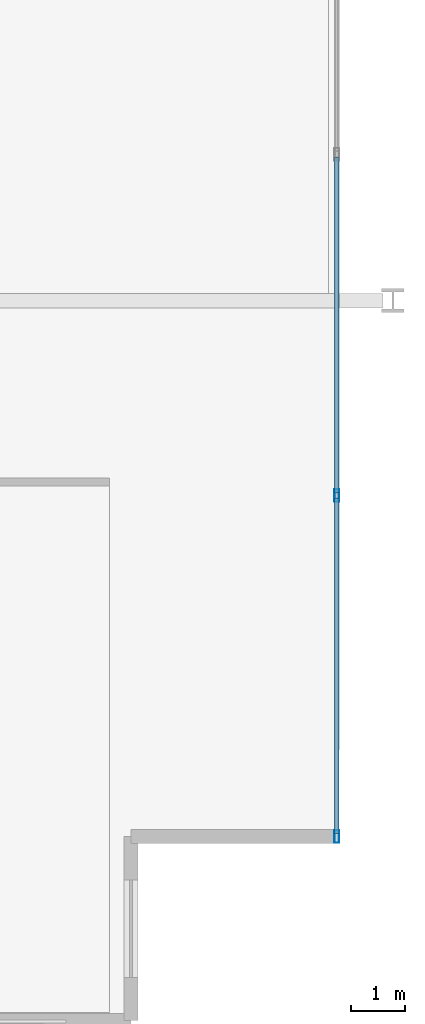
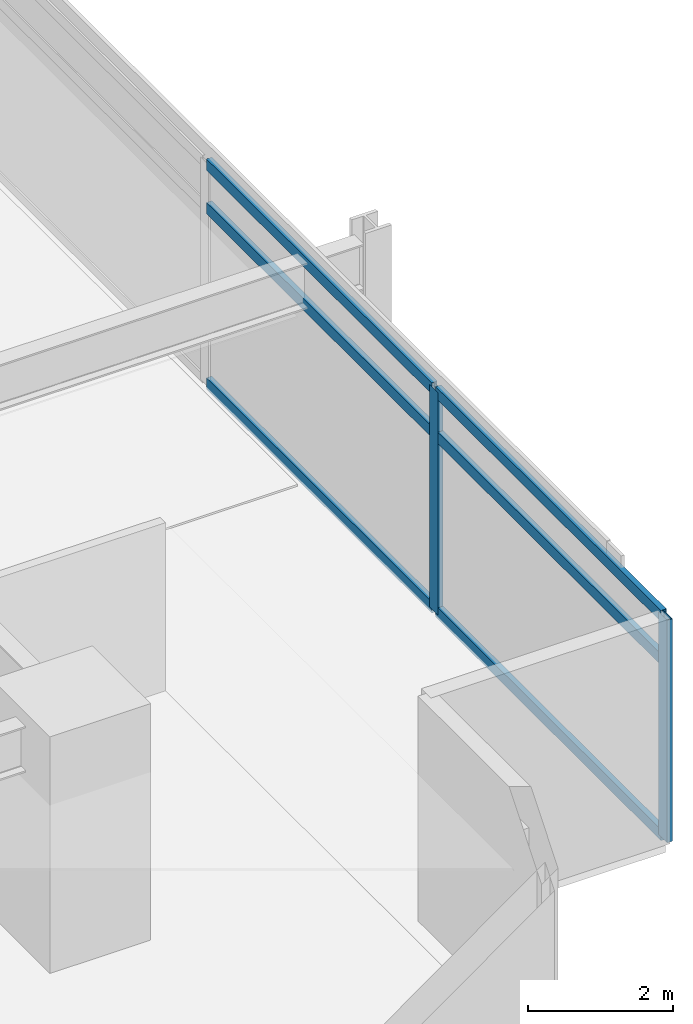
# One storey, part 8 of 23: 8 members, 1 element without a shape of its own.
"""IFC4 building model written with IfcOpenShell, lengths in metres."""

from ifc_helpers import new_model, si_unit, direction, frame, origin, origin_2d, place, context, subcontext, project, spatial, hollow_rectangle, extrude, material, material_profile, profile_set, type_object, element, aggregate, save


model = new_model("IFC4")

# Units and contexts
model_context = context("Model", 3, precision=1e-05, world=origin(), true_north=direction((0.0, 1.0)))
body_context = subcontext(model_context, "Body", "Model", "MODEL_VIEW")
ifc_project = project(units=[si_unit("LENGTHUNIT", "METRE"), si_unit("AREAUNIT", "SQUARE_METRE"), si_unit("VOLUMEUNIT", "CUBIC_METRE"), si_unit("PLANEANGLEUNIT", "RADIAN"), si_unit("MASSUNIT", "GRAM", prefix="KILO")], contexts=[model_context])

# Site, building, storey
site_placement = place(None, origin())
site = spatial("IfcSite", under=ifc_project, at=site_placement, CompositionType="ELEMENT")
building_placement = place(site_placement, origin())
building = spatial("IfcBuilding", under=site, at=building_placement, Name="Kovane Verandah Tower", CompositionType="ELEMENT")
storey_placement = place(building_placement, frame((0.0, 0.0, 148.39990234375)))
storey = spatial("IfcBuildingStorey", under=building, at=storey_placement, Name="L34", CompositionType="ELEMENT", Elevation=148.39990234375)

# Curtain wall, members
ifc_material_1 = material(Name="Champagne Anodised Aluminium Frame with Low-E Clear Laminated Glass", Category="aluminium")
curtain_wall_type = type_object("IfcCurtainWallType", Name="CW-SYS-03-MID", PredefinedType="NOTDEFINED", material=ifc_material_1)
curtain_wall_placement = place(storey_placement, origin())
curtain_wall = element("IfcCurtainWall", 1, at=curtain_wall_placement, inside=storey, type_object=curtain_wall_type, Name="L34 E Unitised Curtain Wall", PredefinedType="NOTDEFINED")
ifc_material_2 = material(Name="Champagne Anodised Aluminium 6063-T6", Category="aluminium")
ifc_material_profile_1 = material_profile(ifc_material_2, hollow_rectangle(XDim=0.0849609375, YDim=0.22998046875, WallThickness=0.00390625, at=origin_2d()), Name="AL85x230x4")
ifc_profile_set_1 = profile_set([ifc_material_profile_1], Name="Champagne Anodised Aluminium 6063-T6")
member_type_1 = type_object("IfcMemberType", Name="CW-MUL-85x230", PredefinedType="MULLION", material=ifc_profile_set_1)
member_1_placement = place(storey_placement, frame((66.5634765625, 8.596435546875, 0.02001953125), z_axis=(0.0, 0.0, 1.0), x_axis=(1.0, 0.0, 0.0)))
member_1 = element("IfcMember", 2, at=member_1_placement, type_object=member_type_1, Name="L34 E Unitised Curtain Wall Mullion 1", PredefinedType="MULLION", context=body_context, shape_type="SweptSolid", body=[
    extrude(hollow_rectangle(XDim=0.0849609375, YDim=0.22998046875, WallThickness=0.00390625, at=origin_2d()), origin(), (0.0, 0.0, 1.0), 3.735107421875),
])
member_2_placement = place(storey_placement, frame((66.5634765625, 14.897705078125, 0.02001953125), z_axis=(0.0, 0.0, 1.0), x_axis=(1.0, 0.0, 0.0)))
member_2 = element("IfcMember", 3, at=member_2_placement, type_object=member_type_1, Name="L34 E Unitised Curtain Wall Mullion 2", PredefinedType="MULLION", context=body_context, shape_type="SweptSolid", body=[
    extrude(hollow_rectangle(XDim=0.0849609375, YDim=0.22998046875, WallThickness=0.00390625, at=origin_2d()), origin(), (0.0, 0.0, 1.0), 3.735107421875),
])
ifc_material_profile_2 = material_profile(ifc_material_2, hollow_rectangle(XDim=0.0849609375, YDim=0.18994140625, WallThickness=0.00390625, at=origin_2d()), Name="AL85x190x4")
ifc_profile_set_2 = profile_set([ifc_material_profile_2], Name="Champagne Anodised Aluminium 6063-T6")
member_type_2 = type_object("IfcMemberType", Name="CW-TRN-85x190", PredefinedType="USERDEFINED", material=ifc_profile_set_2)
member_3_placement = place(storey_placement, frame((66.5634765625, 8.646484375, 0.050048828125), z_axis=(0.0, 1.0, 0.0), x_axis=(-1.0, 0.0, 0.0)))
member_3 = element("IfcMember", 4, at=member_3_placement, type_object=member_type_2, Name="L34 E Unitised Curtain Wall Transom TB Bay 1", ObjectType="TRANSOM", PredefinedType="USERDEFINED", context=body_context, shape_type="SweptSolid", body=[
    extrude(hollow_rectangle(XDim=0.0849609375, YDim=0.18994140625, WallThickness=0.00390625, at=origin_2d()), origin(), (0.0, 0.0, 1.0), 6.201171875),
])
member_4_placement = place(storey_placement, frame((66.5634765625, 8.646484375, 2.9951171875), z_axis=(0.0, 1.0, 0.0), x_axis=(-1.0, 0.0, 0.0)))
member_4 = element("IfcMember", 5, at=member_4_placement, type_object=member_type_2, Name="L34 E Unitised Curtain Wall Transom TM Bay 1", ObjectType="TRANSOM", PredefinedType="USERDEFINED", context=body_context, shape_type="SweptSolid", body=[
    extrude(hollow_rectangle(XDim=0.0849609375, YDim=0.18994140625, WallThickness=0.00390625, at=origin_2d()), origin(), (0.0, 0.0, 1.0), 6.201171875),
])
member_5_placement = place(storey_placement, frame((66.5634765625, 8.646484375, 3.72509765625), z_axis=(0.0, 1.0, 0.0), x_axis=(-1.0, 0.0, 0.0)))
member_5 = element("IfcMember", 6, at=member_5_placement, type_object=member_type_2, Name="L34 E Unitised Curtain Wall Transom TT Bay 1", ObjectType="TRANSOM", PredefinedType="USERDEFINED", context=body_context, shape_type="SweptSolid", body=[
    extrude(hollow_rectangle(XDim=0.0849609375, YDim=0.18994140625, WallThickness=0.00390625, at=origin_2d()), origin(), (0.0, 0.0, 1.0), 6.201171875),
])
member_6_placement = place(storey_placement, frame((66.5634765625, 14.947509765625, 0.050048828125), z_axis=(0.0, 1.0, 0.0), x_axis=(-1.0, 0.0, 0.0)))
member_6 = element("IfcMember", 7, at=member_6_placement, type_object=member_type_2, Name="L34 E Unitised Curtain Wall Transom TB Bay 2", ObjectType="TRANSOM", PredefinedType="USERDEFINED", context=body_context, shape_type="SweptSolid", body=[
    extrude(hollow_rectangle(XDim=0.0849609375, YDim=0.18994140625, WallThickness=0.00390625, at=origin_2d()), origin(), (0.0, 0.0, 1.0), 6.201171875),
])
member_7_placement = place(storey_placement, frame((66.5634765625, 14.947509765625, 2.9951171875), z_axis=(0.0, 1.0, 0.0), x_axis=(-1.0, 0.0, 0.0)))
member_7 = element("IfcMember", 8, at=member_7_placement, type_object=member_type_2, Name="L34 E Unitised Curtain Wall Transom TM Bay 2", ObjectType="TRANSOM", PredefinedType="USERDEFINED", context=body_context, shape_type="SweptSolid", body=[
    extrude(hollow_rectangle(XDim=0.0849609375, YDim=0.18994140625, WallThickness=0.00390625, at=origin_2d()), origin(), (0.0, 0.0, 1.0), 6.201171875),
])
member_8_placement = place(storey_placement, frame((66.5634765625, 14.947509765625, 3.72509765625), z_axis=(0.0, 1.0, 0.0), x_axis=(-1.0, 0.0, 0.0)))
member_8 = element("IfcMember", 9, at=member_8_placement, type_object=member_type_2, Name="L34 E Unitised Curtain Wall Transom TT Bay 2", ObjectType="TRANSOM", PredefinedType="USERDEFINED", context=body_context, shape_type="SweptSolid", body=[
    extrude(hollow_rectangle(XDim=0.0849609375, YDim=0.18994140625, WallThickness=0.00390625, at=origin_2d()), origin(), (0.0, 0.0, 1.0), 6.201171875),
])
aggregate(curtain_wall, [member_1, member_2, member_3, member_4, member_5, member_6, member_7, member_8])

save(model, "model.ifc")
